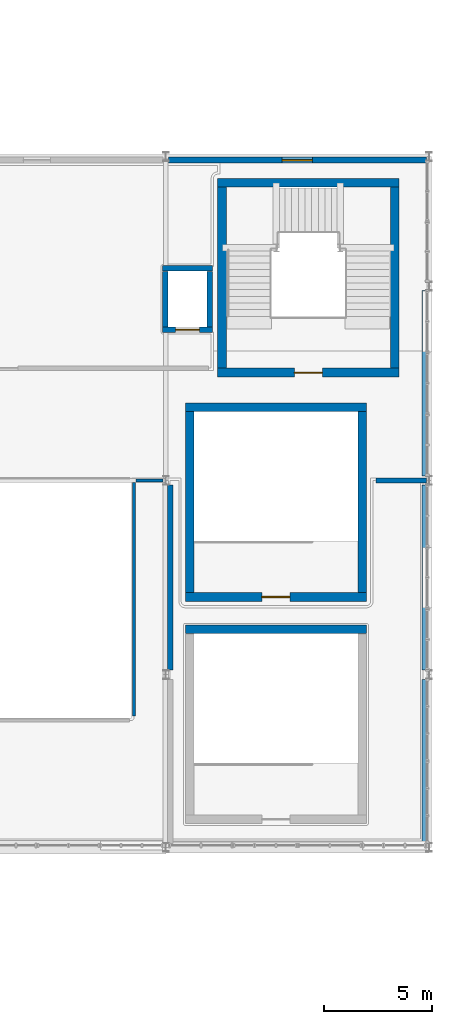
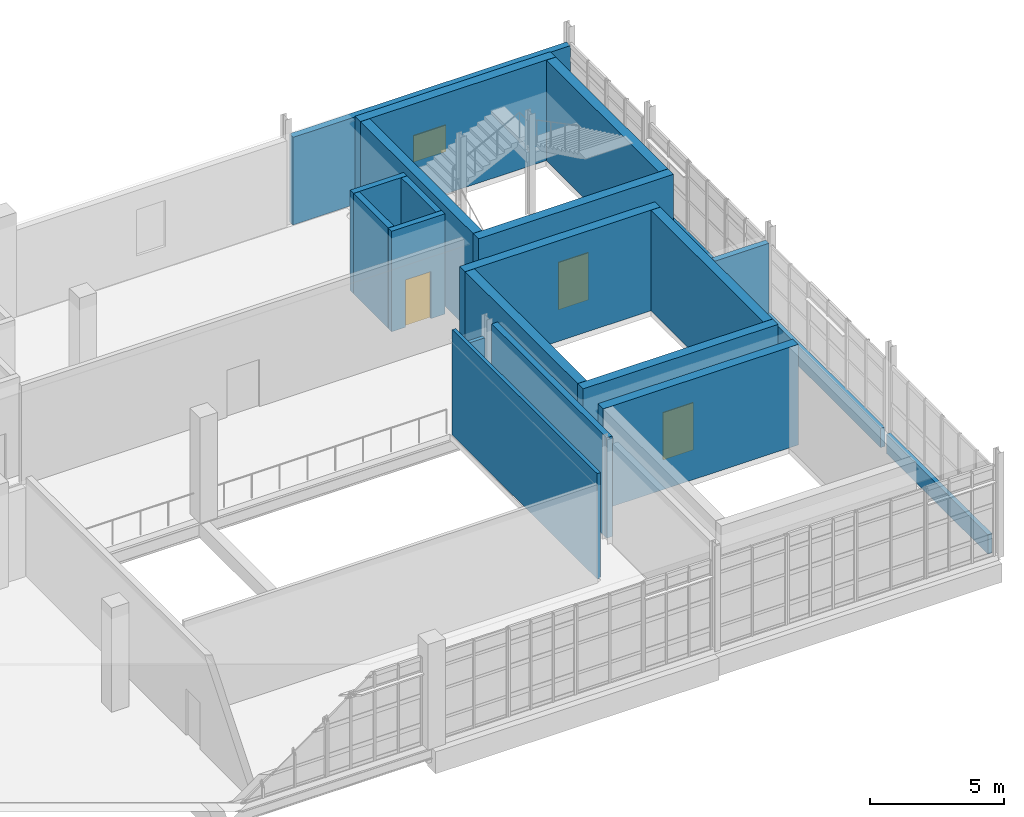
# One storey, part 96 of 102: 21 walls, 3 doors, 1 window, 4 openings.
"""IFC4 building model written with IfcOpenShell, lengths in metres."""

from ifc_helpers import new_model, si_unit, derived_unit, direction, frame, frame_2d, origin, place, context, subcontext, project, spatial, rectangle, extrude, material, layer, layer_set, type_object, element, fill, save


model = new_model("IFC4")

# Units and contexts
model_context = context("Model", 3, precision=1e-05, world=origin(), true_north=direction((0.0, 1.0)))
body_context = subcontext(model_context, "Body", "Model", "MODEL_VIEW")
ifc_project = project(units=[si_unit("LENGTHUNIT", "METRE"), si_unit("AREAUNIT", "SQUARE_METRE"), si_unit("VOLUMEUNIT", "CUBIC_METRE"), si_unit("PLANEANGLEUNIT", "RADIAN"), si_unit("MASSUNIT", "GRAM", prefix="KILO"), derived_unit("THERMALTRANSMITTANCEUNIT", [(si_unit("POWERUNIT", "WATT"), 1), (si_unit("LENGTHUNIT", "METRE"), -2), (si_unit("THERMODYNAMICTEMPERATUREUNIT", "KELVIN"), -1)])], contexts=[model_context])

# Site, building, storey
site_placement = place(None, origin())
site = spatial("IfcSite", under=ifc_project, at=site_placement, CompositionType="ELEMENT")
building_placement = place(site_placement, origin())
building = spatial("IfcBuilding", under=site, at=building_placement, Name="Nallur Shell Playhouse", CompositionType="ELEMENT")
storey_placement = place(building_placement, frame((0.0, 0.0, 15.0)))
storey = spatial("IfcBuildingStorey", under=building, at=storey_placement, Name="L04", CompositionType="ELEMENT", Elevation=15.0)

# Wall, opening, door
ifc_material_1 = material(Name="Concrete M45", Category="concrete")
ifc_layer_1 = layer(ifc_material_1, 0.39990234375)
ifc_layer_set_1 = layer_set([ifc_layer_1], Name="Concrete M45")
wall_type_1 = type_object("IfcWallType", Name="WL-CORE-400", PredefinedType="SHEAR", material=ifc_layer_set_1)
wall_1_placement = place(storey_placement, frame((150.0, 46.0, 0.0), z_axis=(0.0, 0.0, 1.0), x_axis=(1.0, 0.0, 0.0)))
wall_1 = element("IfcWall", 1, at=wall_1_placement, inside=storey, type_object=wall_type_1, Name="Joint Core JC-5 shear wall S (L04)", PredefinedType="SHEAR", context=body_context, shape_type="SweptSolid", body=[
    extrude(rectangle(XDim=8.39990234375, YDim=0.39990234375, at=frame_2d((4.199951171875, 0.0))), origin(), (0.0, 0.0, 1.0), 4.580078125),
])
opening_1_placement = place(wall_1_placement, frame((3.550048828125, 0.0, 0.0)))
opening_1 = element("IfcOpeningElement", 2, at=opening_1_placement, cuts=wall_1, Name="Opening FD-ST2", PredefinedType="OPENING", context=body_context, shape_type="SweptSolid", body=[
    extrude(rectangle(XDim=1.300048828125, YDim=2.14990234375, at=frame_2d((0.64990234375, 1.074951171875))), frame((0.0, 0.2099609375, 0.0), z_axis=(0.0, -1.0, 0.0), x_axis=(1.0, 0.0, 0.0)), (0.0, 0.0, 1.0), 0.419921875),
])
ifc_material_2 = material(Name="Galvanised Steel Fire-Rated Stair Door", Category="steel")
door_type_1 = type_object("IfcDoorType", Name="DR-INT-STAIR-R", OperationType="SINGLE_SWING_RIGHT", PredefinedType="DOOR", material=ifc_material_2)
door_1_placement = place(opening_1_placement, origin())
door_1 = element("IfcDoor", 3, at=door_1_placement, inside=storey, type_object=door_type_1, Name="Exit stair ST-05 fire door (L04)", OperationType="SINGLE_SWING_RIGHT", OverallHeight=2.14990234375, OverallWidth=1.300048828125, PredefinedType="DOOR", context=body_context, shape_type="SweptSolid", body=[
    extrude(rectangle(XDim=1.300048828125, YDim=2.14990234375, at=frame_2d((0.64990234375, 1.074951171875))), frame((0.0, 0.02490234375, 0.0), z_axis=(0.0, -1.0, 0.0), x_axis=(1.0, 0.0, 0.0)), (0.0, 0.0, 1.0), 0.050048828125),
])
fill(opening_1, door_1)

# Walls
wall_2_placement = place(storey_placement, frame((158.39990234375, 54.800048828125, 0.0), z_axis=(0.0, 0.0, 1.0), x_axis=(-1.0, 0.0, 0.0)))
element("IfcWall", 4, at=wall_2_placement, inside=storey, type_object=wall_type_1, Name="Joint Core JC-5 shear wall N (L04)", PredefinedType="SHEAR", context=body_context, shape_type="SweptSolid", body=[
    extrude(rectangle(XDim=8.39990234375, YDim=0.39990234375, at=frame_2d((4.199951171875, 0.0))), origin(), (0.0, 0.0, 1.0), 4.580078125),
])
for number, where, z_axis, x_axis, name in (
    (5, (158.199951171875, 46.2099609375, 0.0), (0.0, 0.0, 1.0), (0.0, 1.0, 0.0), "Joint Core JC-5 shear wall E (L04)"),
    (6, (150.199951171875, 54.590087890625, 0.0), (0.0, 0.0, 1.0), (0.0, -1.0, 0.0), "Joint Core JC-5 shear wall W (L04)"),
):
    element("IfcWall", number, at=place(storey_placement, frame(where, z_axis=z_axis, x_axis=x_axis)), inside=storey, type_object=wall_type_1, Name=name, PredefinedType="SHEAR", context=body_context, shape_type="SweptSolid", body=[
        extrude(rectangle(XDim=8.380126953125, YDim=0.39990234375, at=frame_2d((4.18994140625, 0.0))), origin(), (0.0, 0.0, 1.0), 4.580078125),
    ])
wall_3_placement = place(storey_placement, frame((156.89990234375, 34.10009765625, 0.0), z_axis=(0.0, 0.0, 1.0), x_axis=(-1.0, 0.0, 0.0)))
element("IfcWall", 7, at=wall_3_placement, inside=storey, type_object=wall_type_1, Name="Joint Core JC-8 shear wall N (L04)", PredefinedType="SHEAR", context=body_context, shape_type="SweptSolid", body=[
    extrude(rectangle(XDim=8.39990234375, YDim=0.39990234375, at=frame_2d((4.199951171875, 0.0))), origin(), (0.0, 0.0, 1.0), 4.580078125),
])

# Wall, opening, door
wall_4_placement = place(storey_placement, frame((148.5, 35.60009765625, 0.0), z_axis=(0.0, 0.0, 1.0), x_axis=(1.0, 0.0, 0.0)))
wall_4 = element("IfcWall", 8, at=wall_4_placement, inside=storey, type_object=wall_type_1, Name="Joint Core JC-9 shear wall S (L04)", PredefinedType="SHEAR", context=body_context, shape_type="SweptSolid", body=[
    extrude(rectangle(XDim=8.39990234375, YDim=0.39990234375, at=frame_2d((4.199951171875, 0.0))), origin(), (0.0, 0.0, 1.0), 4.580078125),
])
opening_2_placement = place(wall_4_placement, frame((3.550048828125, 0.0, 0.0)))
opening_2 = element("IfcOpeningElement", 9, at=opening_2_placement, cuts=wall_4, Name="Opening FD-ST2", PredefinedType="OPENING", context=body_context, shape_type="SweptSolid", body=[
    extrude(rectangle(XDim=1.300048828125, YDim=2.14990234375, at=frame_2d((0.64990234375, 1.074951171875))), frame((0.0, 0.2099609375, 0.0), z_axis=(0.0, -1.0, 0.0), x_axis=(1.0, 0.0, 0.0)), (0.0, 0.0, 1.0), 0.419921875),
])
door_2_placement = place(opening_2_placement, origin())
door_2 = element("IfcDoor", 10, at=door_2_placement, inside=storey, type_object=door_type_1, Name="Exit stair ST-09 fire door (L04)", OperationType="SINGLE_SWING_RIGHT", OverallHeight=2.14990234375, OverallWidth=1.300048828125, PredefinedType="DOOR", context=body_context, shape_type="SweptSolid", body=[
    extrude(rectangle(XDim=1.300048828125, YDim=2.14990234375, at=frame_2d((0.64990234375, 1.074951171875))), frame((0.0, 0.02490234375, 0.0), z_axis=(0.0, -1.0, 0.0), x_axis=(1.0, 0.0, 0.0)), (0.0, 0.0, 1.0), 0.050048828125),
])
fill(opening_2, door_2)

# Walls
wall_5_placement = place(storey_placement, frame((156.89990234375, 44.39990234375, 0.0), z_axis=(0.0, 0.0, 1.0), x_axis=(-1.0, 0.0, 0.0)))
element("IfcWall", 11, at=wall_5_placement, inside=storey, type_object=wall_type_1, Name="Joint Core JC-9 shear wall N (L04)", PredefinedType="SHEAR", context=body_context, shape_type="SweptSolid", body=[
    extrude(rectangle(XDim=8.39990234375, YDim=0.39990234375, at=frame_2d((4.199951171875, 0.0))), origin(), (0.0, 0.0, 1.0), 4.580078125),
])
for number, where, z_axis, x_axis, name in (
    (12, (156.699951171875, 35.81005859375, 0.0), (0.0, 0.0, 1.0), (0.0, 1.0, 0.0), "Joint Core JC-9 shear wall E (L04)"),
    (13, (148.699951171875, 44.18994140625, 0.0), (0.0, 0.0, 1.0), (0.0, -1.0, 0.0), "Joint Core JC-9 shear wall W (L04)"),
):
    element("IfcWall", number, at=place(storey_placement, frame(where, z_axis=z_axis, x_axis=x_axis)), inside=storey, type_object=wall_type_1, Name=name, PredefinedType="SHEAR", context=body_context, shape_type="SweptSolid", body=[
        extrude(rectangle(XDim=8.3798828125, YDim=0.39990234375, at=frame_2d((4.18994140625, 0.0))), origin(), (0.0, 0.0, 1.0), 4.580078125),
    ])

# Wall, opening, window
ifc_material_3 = material(Name="Concrete M30", Category="concrete")
ifc_layer_2 = layer(ifc_material_3, 0.280029296875)
ifc_layer_set_2 = layer_set([ifc_layer_2], Name="Concrete M30")
wall_type_2 = type_object("IfcWallType", Name="WL-EXT-INS280", PredefinedType="STANDARD", material=ifc_layer_set_2)
wall_6_placement = place(storey_placement, frame((147.73291015625, 55.840087890625, 0.0), z_axis=(0.0, 0.0, 1.0), x_axis=(1.0, 0.0, 0.0)))
wall_6 = element("IfcWall", 14, at=wall_6_placement, inside=storey, type_object=wall_type_2, Name="L04 exterior wall EW-L04-189", PredefinedType="STANDARD", context=body_context, shape_type="SweptSolid", body=[
    extrude(rectangle(XDim=11.943115234375, YDim=0.280029296875, at=frame_2d((5.9716796875, 0.0))), origin(), (0.0, 0.0, 1.0), 3.985107421875),
])
opening_3_placement = place(wall_6_placement, frame((5.259033203125, 0.0, 0.949951171875)))
opening_3 = element("IfcOpeningElement", 15, at=opening_3_placement, cuts=wall_6, Name="Opening WN-13", PredefinedType="OPENING", context=body_context, shape_type="SweptSolid", body=[
    extrude(rectangle(XDim=1.39990234375, YDim=1.199951171875, at=frame_2d((0.699951171875, 0.60009765625))), frame((0.0, 0.14990234375, 0.0), z_axis=(0.0, -1.0, 0.0), x_axis=(1.0, 0.0, 0.0)), (0.0, 0.0, 1.0), 0.300048828125),
])
ifc_material_4 = material(Name="Thermally Broken Aluminium Acoustic Double-Glazed Window", Category="aluminium")
window_type = type_object("IfcWindowType", Name="WN-TYPE-13", PartitioningType="SINGLE_PANEL", PredefinedType="WINDOW", material=ifc_material_4)
window_placement = place(opening_3_placement, origin())
window = element("IfcWindow", 16, at=window_placement, inside=storey, type_object=window_type, Name="L04 facade module window 077", OverallHeight=1.199951171875, OverallWidth=1.39990234375, PartitioningType="SINGLE_PANEL", PredefinedType="WINDOW", context=body_context, shape_type="SweptSolid", body=[
    extrude(rectangle(XDim=1.39990234375, YDim=1.199951171875, at=frame_2d((0.699951171875, 0.60009765625))), frame((0.0, 0.030029296875, 0.0), z_axis=(0.0, -1.0, 0.0), x_axis=(1.0, 0.0, 0.0)), (0.0, 0.0, 1.0), 0.06005859375),
])
fill(opening_3, window)

# Walls
ifc_material_5 = material(Name="Concrete M35", Category="concrete")
ifc_layer_3 = layer(ifc_material_5, 0.179931640625)
ifc_layer_set_3 = layer_set([ifc_layer_3], Name="Concrete M35")
wall_type_3 = type_object("IfcWallType", Name="WL-PARAPET-180", PredefinedType="PARAPET", material=ifc_layer_set_3)
for number, where, z_axis, x_axis, name in (
    (17, (159.56005859375, 49.7900390625, 0.0), (0.0, 0.0, 1.0), (0.0, -1.0, 0.0), "L04 curtain-wall internal spandrel upstand 047"),
    (18, (159.56005859375, 40.7900390625, 0.0), (0.0, 0.0, 1.0), (0.0, -1.0, 0.0), "L04 curtain-wall internal spandrel upstand 048"),
):
    element("IfcWall", number, at=place(storey_placement, frame(where, z_axis=z_axis, x_axis=x_axis)), inside=storey, type_object=wall_type_3, Name=name, PredefinedType="PARAPET", context=body_context, shape_type="SweptSolid", body=[
        extrude(rectangle(XDim=8.580078125, YDim=0.179931640625, at=frame_2d((4.2900390625, 0.0))), origin(), (0.0, 0.0, 1.0), 0.8798828125),
    ])
wall_7_placement = place(storey_placement, frame((159.56005859375, 31.7900390625, 0.0), z_axis=(0.0, 0.0, 1.0), x_axis=(0.0, -1.0, 0.0)))
element("IfcWall", 19, at=wall_7_placement, inside=storey, type_object=wall_type_3, Name="L04 curtain-wall internal spandrel upstand 049", PredefinedType="PARAPET", context=body_context, shape_type="SweptSolid", body=[
    extrude(rectangle(XDim=7.580078125, YDim=0.179931640625, at=frame_2d((3.7900390625, 0.0))), origin(), (0.0, 0.0, 1.0), 0.8798828125),
])
ifc_layer_4 = layer(ifc_material_3, 0.25)
ifc_layer_set_4 = layer_set([ifc_layer_4], Name="Concrete M30")
wall_type_4 = type_object("IfcWallType", Name="WL-PART-AC250", PredefinedType="PARTITIONING", material=ifc_layer_set_4)
wall_8_placement = place(storey_placement, frame((147.800048828125, 32.215087890625, 0.0), z_axis=(0.0, 0.0, 1.0), x_axis=(0.0, 1.0, 0.0)))
element("IfcWall", 20, at=wall_8_placement, inside=storey, type_object=wall_type_4, Name="Studio Theatre Technical Control & Followspot Gallery partition IW-L04-0303", PredefinedType="PARTITIONING", context=body_context, shape_type="SweptSolid", body=[
    extrude(rectangle(XDim=8.56982421875, YDim=0.25, at=frame_2d((4.284912109375, 0.0))), origin(), (0.0, 0.0, 1.0), 4.570068359375),
])
wall_9_placement = place(storey_placement, frame((157.344970703125, 41.0, 0.0), z_axis=(0.0, 0.0, 1.0), x_axis=(1.0, 0.0, 0.0)))
element("IfcWall", 21, at=wall_9_placement, inside=storey, type_object=wall_type_4, Name="Studio Theatre Technical Control & Followspot Gallery partition IW-L04-0304", PredefinedType="PARTITIONING", context=body_context, shape_type="SweptSolid", body=[
    extrude(rectangle(XDim=2.325927734375, YDim=0.25, at=frame_2d((1.1630859375, 0.0))), origin(), (0.0, 0.0, 1.0), 3.97998046875),
])
ifc_material_6 = material(Name="Concrete M25 Fire Blockwork", Category="masonry")
ifc_layer_5 = layer(ifc_material_6, 0.14990234375)
ifc_layer_set_5 = layer_set([ifc_layer_5], Name="Concrete M25 Fire Blockwork")
wall_type_5 = type_object("IfcWallType", Name="WL-PART-FR150", PredefinedType="PARTITIONING", material=ifc_layer_set_5)
wall_10_placement = place(storey_placement, frame((146.1201171875, 30.094970703125, 0.0), z_axis=(0.0, 0.0, 1.0), x_axis=(0.0, 1.0, 0.0)))
element("IfcWall", 22, at=wall_10_placement, inside=storey, type_object=wall_type_5, Name="Studio Theatre Costume & Scenic Prop Workshop partition IW-L04-0338", PredefinedType="PARTITIONING", context=body_context, shape_type="SweptSolid", body=[
    extrude(rectangle(XDim=10.81005859375, YDim=0.14990234375, at=frame_2d((5.405029296875, 0.0))), origin(), (0.0, 0.0, 1.0), 4.800048828125),
])
wall_11_placement = place(storey_placement, frame((146.215087890625, 41.0, 0.0), z_axis=(0.0, 0.0, 1.0), x_axis=(1.0, 0.0, 0.0)))
element("IfcWall", 23, at=wall_11_placement, inside=storey, type_object=wall_type_5, Name="Studio Theatre Costume & Scenic Prop Workshop partition IW-L04-0339", PredefinedType="PARTITIONING", context=body_context, shape_type="SweptSolid", body=[
    extrude(rectangle(XDim=1.244873046875, YDim=0.14990234375, at=frame_2d((0.62255859375, 0.0))), origin(), (0.0, 0.0, 1.0), 3.919921875),
])

# Wall, opening, door
ifc_layer_6 = layer(ifc_material_1, 0.25)
ifc_layer_set_6 = layer_set([ifc_layer_6], Name="Concrete M45")
wall_type_6 = type_object("IfcWallType", Name="WL-SHAFT-250", PredefinedType="STANDARD", material=ifc_layer_set_6)
wall_12_placement = place(storey_placement, frame((147.449951171875, 47.97509765625, 0.0), z_axis=(0.0, 0.0, 1.0), x_axis=(1.0, 0.0, 0.0)))
wall_12 = element("IfcWall", 24, at=wall_12_placement, inside=storey, type_object=wall_type_6, Name="Studio Passenger Lift PL-5 shaft wall south (L04)", PredefinedType="STANDARD", context=body_context, shape_type="SweptSolid", body=[
    extrude(rectangle(XDim=2.300048828125, YDim=0.25, at=frame_2d((1.14990234375, 0.0))), origin(), (0.0, 0.0, 1.0), 4.570068359375),
])
opening_4_placement = place(wall_12_placement, frame((0.60009765625, 0.0, 0.0)))
opening_4 = element("IfcOpeningElement", 25, at=opening_4_placement, cuts=wall_12, Name="Opening LD-P1", PredefinedType="OPENING", context=body_context, shape_type="SweptSolid", body=[
    extrude(rectangle(XDim=1.10009765625, YDim=2.14990234375, at=frame_2d((0.550048828125, 1.074951171875))), frame((0.0, 0.135009765625, 0.0), z_axis=(0.0, -1.0, 0.0), x_axis=(1.0, 0.0, 0.0)), (0.0, 0.0, 1.0), 0.27001953125),
])
ifc_material_7 = material(Name="Brushed Stainless Steel Lift Landing Door", Category="steel")
door_type_2 = type_object("IfcDoorType", Name="DR-LIFT-PASS", OperationType="DOUBLE_DOOR_SLIDING", PredefinedType="DOOR", material=ifc_material_7)
door_3_placement = place(opening_4_placement, origin())
door_3 = element("IfcDoor", 26, at=door_3_placement, inside=storey, type_object=door_type_2, Name="Studio Passenger Lift PL-5 sliding landing door (L04)", OperationType="DOUBLE_DOOR_SLIDING", OverallHeight=2.14990234375, OverallWidth=1.10009765625, PredefinedType="DOOR", context=body_context, shape_type="SweptSolid", body=[
    extrude(rectangle(XDim=1.10009765625, YDim=2.14990234375, at=frame_2d((0.550048828125, 1.074951171875))), frame((0.0, 0.02490234375, 0.0), z_axis=(0.0, -1.0, 0.0), x_axis=(1.0, 0.0, 0.0)), (0.0, 0.0, 1.0), 0.050048828125),
])
fill(opening_4, door_3)

# Walls
wall_13_placement = place(storey_placement, frame((149.75, 50.824951171875, 0.0), z_axis=(0.0, 0.0, 1.0), x_axis=(-1.0, 0.0, 0.0)))
element("IfcWall", 27, at=wall_13_placement, inside=storey, type_object=wall_type_6, Name="Studio Passenger Lift PL-5 shaft wall north (L04)", PredefinedType="STANDARD", context=body_context, shape_type="SweptSolid", body=[
    extrude(rectangle(XDim=2.300048828125, YDim=0.25, at=frame_2d((1.14990234375, 0.0))), origin(), (0.0, 0.0, 1.0), 4.570068359375),
])
for number, where, z_axis, x_axis, name in (
    (28, (149.625, 48.110107421875, 0.0), (0.0, 0.0, 1.0), (0.0, 1.0, 0.0), "Studio Passenger Lift PL-5 shaft wall east (L04)"),
    (29, (147.574951171875, 50.68994140625, 0.0), (0.0, 0.0, 1.0), (0.0, -1.0, 0.0), "Studio Passenger Lift PL-5 shaft wall west (L04)"),
):
    element("IfcWall", number, at=place(storey_placement, frame(where, z_axis=z_axis, x_axis=x_axis)), inside=storey, type_object=wall_type_6, Name=name, PredefinedType="STANDARD", context=body_context, shape_type="SweptSolid", body=[
        extrude(rectangle(XDim=2.579833984375, YDim=0.25, at=frame_2d((1.2900390625, 0.0))), origin(), (0.0, 0.0, 1.0), 4.570068359375),
    ])

save(model, "model.ifc")
